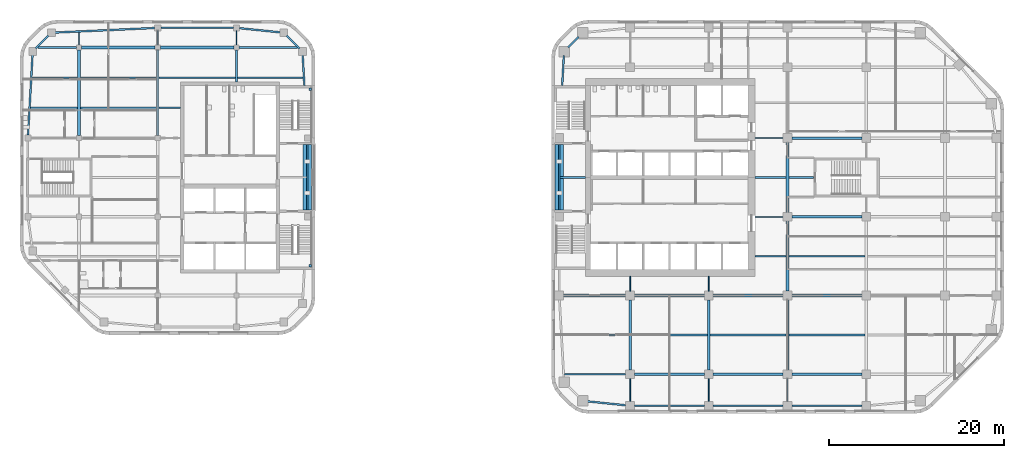
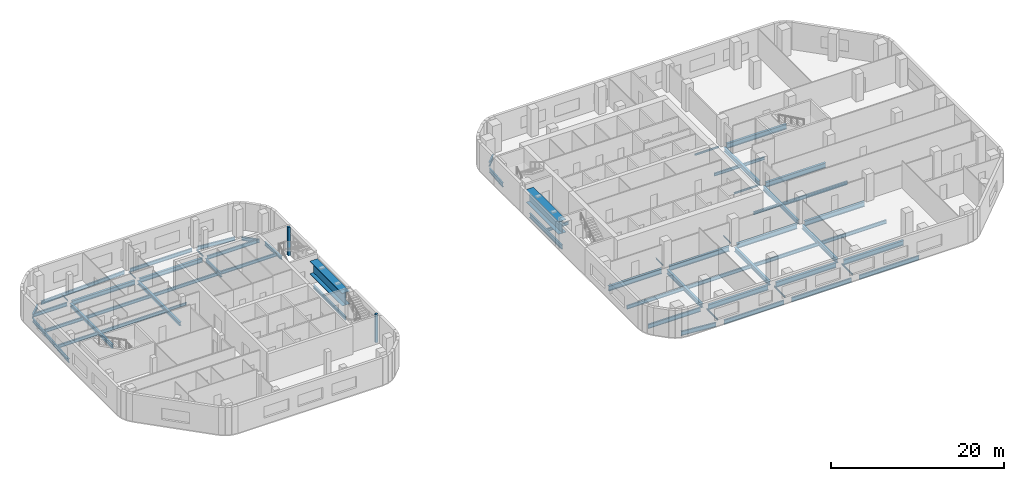
# One storey, part 2 of 14: 65 beams, 2 members.
"""IFC4 building model written with IfcOpenShell, lengths in metres."""

from ifc_helpers import new_model, si_unit, direction, frame, origin, origin_2d, place, context, subcontext, project, spatial, rectangle, i_section, extrude, material, material_profile, profile_set, type_object, element, save


model = new_model("IFC4")

# Units and contexts
model_context = context("Model", 3, precision=1e-05, world=origin(), true_north=direction((0.0, 1.0)))
body_context = subcontext(model_context, "Body", "Model", "MODEL_VIEW")
ifc_project = project(units=[si_unit("LENGTHUNIT", "METRE"), si_unit("AREAUNIT", "SQUARE_METRE"), si_unit("VOLUMEUNIT", "CUBIC_METRE"), si_unit("PLANEANGLEUNIT", "RADIAN"), si_unit("MASSUNIT", "GRAM", prefix="KILO")], contexts=[model_context])

# Site, building, storey
site_placement = place(None, origin())
site = spatial("IfcSite", under=ifc_project, at=site_placement, CompositionType="ELEMENT")
building_placement = place(site_placement, origin())
building = spatial("IfcBuilding", under=site, at=building_placement, Name="Cinnabar Reach Civic Tower", CompositionType="ELEMENT")
storey_placement = place(building_placement, frame((0.0, 0.0, 136.0)))
storey = spatial("IfcBuildingStorey", under=building, at=storey_placement, Name="L32", CompositionType="ELEMENT", Elevation=136.0)

# Beams
ifc_material_1 = material(Name="Steel Q355B", Category="steel")
ifc_material_profile_1 = material_profile(ifc_material_1, i_section(OverallWidth=0.3, OverallDepth=0.488, WebThickness=0.011, FlangeThickness=0.018, FilletRadius=0.016, at=origin_2d()), Name="HM488x300x11x18")
ifc_profile_set_1 = profile_set([ifc_material_profile_1], Name="Steel Q355B")
beam_type_1 = type_object("IfcBeamType", Name="HM488x300x11x18 beam R 120", PredefinedType="BEAM", material=ifc_profile_set_1)
for number, where, z_axis, x_axis, name in (
    (1, (-54.0, 36.302, -0.394), (0.0, 1.0, 0.0), (-1.0, 0.0, 0.0), "Girder T2 L32 4"),
    (2, (-45.0, 36.302, -0.394), (0.0, 1.0, 0.0), (-1.0, 0.0, 0.0), "Girder T2 L32 9"),
):
    element("IfcBeam", number, at=place(storey_placement, frame(where, z_axis=z_axis, x_axis=x_axis)), inside=storey, type_object=beam_type_1, Name=name, PredefinedType="BEAM", context=body_context, shape_type="SweptSolid", body=[
        extrude(i_section(OverallWidth=0.3, OverallDepth=0.488, WebThickness=0.011, FlangeThickness=0.018, FilletRadius=0.016, at=origin_2d()), origin(), (0.0, 0.0, 1.0), 9.746),
    ])
ifc_material_profile_2 = material_profile(ifc_material_1, i_section(OverallWidth=0.3, OverallDepth=0.588, WebThickness=0.012, FlangeThickness=0.02, FilletRadius=0.016, at=origin_2d()), Name="HM588x300x12x20")
ifc_profile_set_2 = profile_set([ifc_material_profile_2], Name="Steel Q355B")
beam_type_2 = type_object("IfcBeamType", Name="HM588x300x12x20 beam R 120", PredefinedType="BEAM", material=ifc_profile_set_2)
for number, where, z_axis, x_axis, name in (
    (3, (-53.698, 46.35, -0.444), (1.0, 0.0, 0.0), (0.0, 1.0, 0.0), "Girder T2 L32 11"),
    (4, (-44.698, 46.35, -0.444), (1.0, 0.0, 0.0), (0.0, 1.0, 0.0), "Girder T2 L32 12"),
):
    element("IfcBeam", number, at=place(storey_placement, frame(where, z_axis=z_axis, x_axis=x_axis)), inside=storey, type_object=beam_type_2, Name=name, PredefinedType="BEAM", context=body_context, shape_type="SweptSolid", body=[
        extrude(i_section(OverallWidth=0.3, OverallDepth=0.588, WebThickness=0.012, FlangeThickness=0.02, FilletRadius=0.016, at=origin_2d()), origin(), (0.0, 0.0, 1.0), 8.396),
    ])
ifc_material_profile_3 = material_profile(ifc_material_1, i_section(OverallWidth=0.302, OverallDepth=0.594, WebThickness=0.014, FlangeThickness=0.023, FilletRadius=0.016, at=origin_2d()), Name="HM594x302x14x23")
ifc_profile_set_3 = profile_set([ifc_material_profile_3], Name="Steel Q355B")
beam_type_3 = type_object("IfcBeamType", Name="HM594x302x14x23 beam R 180", PredefinedType="BEAM", material=ifc_profile_set_3)
for number, where, z_axis, x_axis, name in (
    (5, (9.0, 9.502, -0.447), (0.0, 1.0, 0.0), (-1.0, 0.0, 0.0), "Girder T1 L32 2"),
    (6, (18.0, 9.502, -0.447), (0.0, 1.0, 0.0), (-1.0, 0.0, 0.0), "Girder T1 L32 6"),
    (7, (27.0, 9.502, -0.447), (0.0, 1.0, 0.0), (-1.0, 0.0, 0.0), "Girder T1 L32 10"),
    (8, (27.0, 18.502, -0.447), (0.0, 1.0, 0.0), (-1.0, 0.0, 0.0), "Girder T1 L32 11"),
    (9, (27.0, 27.502, -0.447), (0.0, 1.0, 0.0), (-1.0, 0.0, 0.0), "Girder T1 L32 12"),
):
    element("IfcBeam", number, at=place(storey_placement, frame(where, z_axis=z_axis, x_axis=x_axis)), inside=storey, type_object=beam_type_3, Name=name, PredefinedType="BEAM", context=body_context, shape_type="SweptSolid", body=[
        extrude(i_section(OverallWidth=0.302, OverallDepth=0.594, WebThickness=0.014, FlangeThickness=0.023, FilletRadius=0.016, at=origin_2d()), origin(), (0.0, 0.0, 1.0), 7.996),
    ])
ifc_material_profile_4 = material_profile(ifc_material_1, i_section(OverallWidth=0.099, OverallDepth=0.198, WebThickness=0.0045, FlangeThickness=0.007, FilletRadius=0.013, at=origin_2d()), Name="HN200x100x5.5x8")
ifc_profile_set_4 = profile_set([ifc_material_profile_4], Name="Steel Q355B")
beam_type_4 = type_object("IfcBeamType", Name="HN200x100x5.5x8 beam R 120", PredefinedType="BEAM", material=ifc_profile_set_4)
beam_1_placement = place(storey_placement, frame((-54.0, 46.652, -0.249), z_axis=(0.0, 1.0, 0.0), x_axis=(-1.0, 0.0, 0.0)))
element("IfcBeam", 10, at=beam_1_placement, inside=storey, type_object=beam_type_4, Name="Girder T2 L32 5", PredefinedType="BEAM", context=body_context, shape_type="SweptSolid", body=[
    extrude(i_section(OverallWidth=0.099, OverallDepth=0.198, WebThickness=0.0045, FlangeThickness=0.007, FilletRadius=0.013, at=origin_2d()), origin(), (0.0, 0.0, 1.0), 1.4361),
])
for number, where, z_axis, x_axis, name in (
    (11, (-45.0, 46.652, -0.249), (0.0, 1.0, 0.0), (-1.0, 0.0, 0.0), "Girder T2 L32 10"),
    (12, (-36.0, 46.652, -0.249), (0.0, 1.0, 0.0), (-1.0, 0.0, 0.0), "Girder T2 L32 14"),
):
    element("IfcBeam", number, at=place(storey_placement, frame(where, z_axis=z_axis, x_axis=x_axis)), inside=storey, type_object=beam_type_4, Name=name, PredefinedType="BEAM", context=body_context, shape_type="SweptSolid", body=[
        extrude(i_section(OverallWidth=0.099, OverallDepth=0.198, WebThickness=0.0045, FlangeThickness=0.007, FilletRadius=0.013, at=origin_2d()), origin(), (0.0, 0.0, 1.0), 1.596),
    ])
ifc_material_profile_5 = material_profile(ifc_material_1, i_section(OverallWidth=0.099, OverallDepth=0.198, WebThickness=0.0045, FlangeThickness=0.007, FilletRadius=0.013, at=origin_2d()), Name="HN200x100x5.5x8")
ifc_profile_set_5 = profile_set([ifc_material_profile_5], Name="Steel Q355B")
beam_type_5 = type_object("IfcBeamType", Name="HN200x100x5.5x8 beam R 180", PredefinedType="BEAM", material=ifc_profile_set_5)
beam_2_placement = place(storey_placement, frame((9.0, 5.902, -0.249), z_axis=(0.0, 1.0, 0.0), x_axis=(-1.0, 0.0, 0.0)))
element("IfcBeam", 13, at=beam_2_placement, inside=storey, type_object=beam_type_5, Name="Girder T1 L32 1", PredefinedType="BEAM", context=body_context, shape_type="SweptSolid", body=[
    extrude(i_section(OverallWidth=0.099, OverallDepth=0.198, WebThickness=0.0045, FlangeThickness=0.007, FilletRadius=0.013, at=origin_2d()), origin(), (0.0, 0.0, 1.0), 2.596),
])
beam_3_placement = place(storey_placement, frame((9.0, 18.502, -0.249), z_axis=(0.0, 1.0, 0.0), x_axis=(-1.0, 0.0, 0.0)))
element("IfcBeam", 14, at=beam_3_placement, inside=storey, type_object=beam_type_5, Name="Girder T1 L32 3", PredefinedType="BEAM", context=body_context, shape_type="SweptSolid", body=[
    extrude(i_section(OverallWidth=0.099, OverallDepth=0.198, WebThickness=0.0045, FlangeThickness=0.007, FilletRadius=0.013, at=origin_2d()), origin(), (0.0, 0.0, 1.0), 1.696),
])
beam_4_placement = place(storey_placement, frame((18.0, 5.902, -0.249), z_axis=(0.0, 1.0, 0.0), x_axis=(-1.0, 0.0, 0.0)))
element("IfcBeam", 15, at=beam_4_placement, inside=storey, type_object=beam_type_5, Name="Girder T1 L32 5", PredefinedType="BEAM", context=body_context, shape_type="SweptSolid", body=[
    extrude(i_section(OverallWidth=0.099, OverallDepth=0.198, WebThickness=0.0045, FlangeThickness=0.007, FilletRadius=0.013, at=origin_2d()), origin(), (0.0, 0.0, 1.0), 2.596),
])
beam_5_placement = place(storey_placement, frame((18.0, 18.502, -0.249), z_axis=(0.0, 1.0, 0.0), x_axis=(-1.0, 0.0, 0.0)))
element("IfcBeam", 16, at=beam_5_placement, inside=storey, type_object=beam_type_5, Name="Girder T1 L32 7", PredefinedType="BEAM", context=body_context, shape_type="SweptSolid", body=[
    extrude(i_section(OverallWidth=0.099, OverallDepth=0.198, WebThickness=0.0045, FlangeThickness=0.007, FilletRadius=0.013, at=origin_2d()), origin(), (0.0, 0.0, 1.0), 1.696),
])
beam_6_placement = place(storey_placement, frame((27.0, 5.902, -0.249), z_axis=(0.0, 1.0, 0.0), x_axis=(-1.0, 0.0, 0.0)))
element("IfcBeam", 17, at=beam_6_placement, inside=storey, type_object=beam_type_5, Name="Girder T1 L32 9", PredefinedType="BEAM", context=body_context, shape_type="SweptSolid", body=[
    extrude(i_section(OverallWidth=0.099, OverallDepth=0.198, WebThickness=0.0045, FlangeThickness=0.007, FilletRadius=0.013, at=origin_2d()), origin(), (0.0, 0.0, 1.0), 2.596),
])
ifc_material_profile_6 = material_profile(ifc_material_1, i_section(OverallWidth=0.124, OverallDepth=0.248, WebThickness=0.005, FlangeThickness=0.008, FilletRadius=0.013, at=origin_2d()), Name="HN250x125x6x9")
ifc_profile_set_6 = profile_set([ifc_material_profile_6], Name="Steel Q355B")
beam_type_6 = type_object("IfcBeamType", Name="HN250x125x6x9 beam R 180", PredefinedType="BEAM", material=ifc_profile_set_6)
for number, where, z_axis, x_axis, name in (
    (18, (23.302, 27.0, -0.274), (1.0, 0.0, 0.0), (0.0, 1.0, 0.0), "Girder T1 L32 12"),
    (19, (23.302, 36.0, -0.274), (1.0, 0.0, 0.0), (0.0, 1.0, 0.0), "Girder T1 L32 16"),
):
    element("IfcBeam", number, at=place(storey_placement, frame(where, z_axis=z_axis, x_axis=x_axis)), inside=storey, type_object=beam_type_6, Name=name, PredefinedType="BEAM", context=body_context, shape_type="SweptSolid", body=[
        extrude(i_section(OverallWidth=0.124, OverallDepth=0.248, WebThickness=0.005, FlangeThickness=0.008, FilletRadius=0.013, at=origin_2d()), origin(), (0.0, 0.0, 1.0), 3.196),
    ])
ifc_material_profile_7 = material_profile(ifc_material_1, i_section(OverallWidth=0.175, OverallDepth=0.35, WebThickness=0.007, FlangeThickness=0.011, FilletRadius=0.013, at=origin_2d()), Name="HN350x175x7x11")
ifc_profile_set_7 = profile_set([ifc_material_profile_7], Name="Steel Q355B")
beam_type_7 = type_object("IfcBeamType", Name="HN350x175x7x11 beam R 120", PredefinedType="BEAM", material=ifc_profile_set_7)
beam_7_placement = place(storey_placement, frame((-44.848, 39.45, -0.325), z_axis=(1.0, 0.0, 0.0), x_axis=(0.0, 1.0, 0.0)))
element("IfcBeam", 20, at=beam_7_placement, inside=storey, type_object=beam_type_7, Name="Secondary beam T2 L32 9", PredefinedType="BEAM", context=body_context, shape_type="SweptSolid", body=[
    extrude(i_section(OverallWidth=0.175, OverallDepth=0.35, WebThickness=0.007, FlangeThickness=0.011, FilletRadius=0.013, at=origin_2d()), origin(), (0.0, 0.0, 1.0), 2.446),
])
ifc_material_profile_8 = material_profile(ifc_material_1, i_section(OverallWidth=0.199, OverallDepth=0.396, WebThickness=0.007, FlangeThickness=0.011, FilletRadius=0.013, at=origin_2d()), Name="HN396x199x7x11")
ifc_profile_set_8 = profile_set([ifc_material_profile_8], Name="Steel Q355B")
beam_type_8 = type_object("IfcBeamType", Name="HN396x199x7x11 beam R 180", PredefinedType="BEAM", material=ifc_profile_set_8)
beam_8_placement = place(storey_placement, frame((23.302, 22.5, -0.348), z_axis=(1.0, 0.0, 0.0), x_axis=(0.0, 1.0, 0.0)))
element("IfcBeam", 21, at=beam_8_placement, inside=storey, type_object=beam_type_8, Name="Secondary beam T1 L32 7", PredefinedType="BEAM", context=body_context, shape_type="SweptSolid", body=[
    extrude(i_section(OverallWidth=0.199, OverallDepth=0.396, WebThickness=0.007, FlangeThickness=0.011, FilletRadius=0.013, at=origin_2d()), origin(), (0.0, 0.0, 1.0), 3.545),
])
beam_9_placement = place(storey_placement, frame((1.002, 31.5, -0.348), z_axis=(1.0, 0.0, 0.0), x_axis=(0.0, 1.0, 0.0)))
element("IfcBeam", 22, at=beam_9_placement, inside=storey, type_object=beam_type_8, Name="Secondary beam T1 L32 11", PredefinedType="BEAM", context=body_context, shape_type="SweptSolid", body=[
    extrude(i_section(OverallWidth=0.199, OverallDepth=0.396, WebThickness=0.007, FlangeThickness=0.011, FilletRadius=0.013, at=origin_2d()), origin(), (0.0, 0.0, 1.0), 2.896),
])
beam_10_placement = place(storey_placement, frame((23.302, 31.5, -0.348), z_axis=(1.0, 0.0, 0.0), x_axis=(0.0, 1.0, 0.0)))
element("IfcBeam", 23, at=beam_10_placement, inside=storey, type_object=beam_type_8, Name="Secondary beam T1 L32 12", PredefinedType="BEAM", context=body_context, shape_type="SweptSolid", body=[
    extrude(i_section(OverallWidth=0.199, OverallDepth=0.396, WebThickness=0.007, FlangeThickness=0.011, FilletRadius=0.013, at=origin_2d()), origin(), (0.0, 0.0, 1.0), 3.545),
])
beam_11_placement = place(storey_placement, frame((27.153, 31.5, -0.348), z_axis=(1.0, 0.0, 0.0), x_axis=(0.0, 1.0, 0.0)))
element("IfcBeam", 24, at=beam_11_placement, inside=storey, type_object=beam_type_8, Name="Secondary beam T1 L32 13", PredefinedType="BEAM", context=body_context, shape_type="SweptSolid", body=[
    extrude(i_section(OverallWidth=0.199, OverallDepth=0.396, WebThickness=0.007, FlangeThickness=0.011, FilletRadius=0.013, at=origin_2d()), origin(), (0.0, 0.0, 1.0), 2.845),
])
ifc_material_profile_9 = material_profile(ifc_material_1, i_section(OverallWidth=0.2, OverallDepth=0.45, WebThickness=0.009, FlangeThickness=0.014, FilletRadius=0.016, at=origin_2d()), Name="HN450x200x9x14")
ifc_profile_set_9 = profile_set([ifc_material_profile_9], Name="Steel Q355B")
beam_type_9 = type_object("IfcBeamType", Name="HN450x200x9x14 beam R 120", PredefinedType="BEAM", material=ifc_profile_set_9)
beam_12_placement = place(storey_placement, frame((-59.5551, 39.45, -0.375), z_axis=(1.0, 0.0, 0.0), x_axis=(0.0, 1.0, 0.0)))
element("IfcBeam", 25, at=beam_12_placement, inside=storey, type_object=beam_type_9, Name="Secondary beam T2 L32 7", PredefinedType="BEAM", context=body_context, shape_type="SweptSolid", body=[
    extrude(i_section(OverallWidth=0.2, OverallDepth=0.45, WebThickness=0.009, FlangeThickness=0.014, FilletRadius=0.016, at=origin_2d()), origin(), (0.0, 0.0, 1.0), 5.4031),
])
beam_13_placement = place(storey_placement, frame((-53.848, 39.45, -0.375), z_axis=(1.0, 0.0, 0.0), x_axis=(0.0, 1.0, 0.0)))
element("IfcBeam", 26, at=beam_13_placement, inside=storey, type_object=beam_type_9, Name="Secondary beam T2 L32 8", PredefinedType="BEAM", context=body_context, shape_type="SweptSolid", body=[
    extrude(i_section(OverallWidth=0.2, OverallDepth=0.45, WebThickness=0.009, FlangeThickness=0.014, FilletRadius=0.016, at=origin_2d()), origin(), (0.0, 0.0, 1.0), 8.696),
])
beam_14_placement = place(storey_placement, frame((-59.3623, 42.9, -0.375), z_axis=(1.0, 0.0, 0.0), x_axis=(0.0, 1.0, 0.0)))
element("IfcBeam", 27, at=beam_14_placement, inside=storey, type_object=beam_type_9, Name="Secondary beam T2 L32 10", PredefinedType="BEAM", context=body_context, shape_type="SweptSolid", body=[
    extrude(i_section(OverallWidth=0.2, OverallDepth=0.45, WebThickness=0.009, FlangeThickness=0.014, FilletRadius=0.016, at=origin_2d()), origin(), (0.0, 0.0, 1.0), 5.2103),
])
beam_15_placement = place(storey_placement, frame((-53.848, 42.9, -0.375), z_axis=(1.0, 0.0, 0.0), x_axis=(0.0, 1.0, 0.0)))
element("IfcBeam", 28, at=beam_15_placement, inside=storey, type_object=beam_type_9, Name="Secondary beam T2 L32 11", PredefinedType="BEAM", context=body_context, shape_type="SweptSolid", body=[
    extrude(i_section(OverallWidth=0.2, OverallDepth=0.45, WebThickness=0.009, FlangeThickness=0.014, FilletRadius=0.016, at=origin_2d()), origin(), (0.0, 0.0, 1.0), 8.696),
])
beam_16_placement = place(storey_placement, frame((-44.848, 42.9, -0.375), z_axis=(1.0, 0.0, 0.0), x_axis=(0.0, 1.0, 0.0)))
element("IfcBeam", 29, at=beam_16_placement, inside=storey, type_object=beam_type_9, Name="Secondary beam T2 L32 12", PredefinedType="BEAM", context=body_context, shape_type="SweptSolid", body=[
    extrude(i_section(OverallWidth=0.2, OverallDepth=0.45, WebThickness=0.009, FlangeThickness=0.014, FilletRadius=0.016, at=origin_2d()), origin(), (0.0, 0.0, 1.0), 8.746),
])
beam_17_placement = place(storey_placement, frame((-35.898, 42.9, -0.375), z_axis=(1.0, 0.0, 0.0), x_axis=(0.0, 1.0, 0.0)))
element("IfcBeam", 30, at=beam_17_placement, inside=storey, type_object=beam_type_9, Name="Secondary beam T2 L32 13", PredefinedType="BEAM", context=body_context, shape_type="SweptSolid", body=[
    extrude(i_section(OverallWidth=0.2, OverallDepth=0.45, WebThickness=0.009, FlangeThickness=0.014, FilletRadius=0.016, at=origin_2d()), origin(), (0.0, 0.0, 1.0), 7.5103),
])
ifc_material_profile_10 = material_profile(ifc_material_1, i_section(OverallWidth=0.199, OverallDepth=0.496, WebThickness=0.009, FlangeThickness=0.014, FilletRadius=0.016, at=origin_2d()), Name="HN496x199x9x14")
ifc_profile_set_10 = profile_set([ifc_material_profile_10], Name="Steel Q355B")
beam_type_10 = type_object("IfcBeamType", Name="HN496x199x9x14 beam R 180", PredefinedType="BEAM", material=ifc_profile_set_10)
beam_18_placement = place(storey_placement, frame((1.2536, 13.5, -0.398), z_axis=(1.0, 0.0, 0.0), x_axis=(0.0, 1.0, 0.0)))
element("IfcBeam", 31, at=beam_18_placement, inside=storey, type_object=beam_type_10, Name="Secondary beam T1 L32 1", PredefinedType="BEAM", context=body_context, shape_type="SweptSolid", body=[
    extrude(i_section(OverallWidth=0.199, OverallDepth=0.496, WebThickness=0.009, FlangeThickness=0.014, FilletRadius=0.016, at=origin_2d()), origin(), (0.0, 0.0, 1.0), 7.5934),
])
for number, where, z_axis, x_axis, name in (
    (32, (9.153, 13.5, -0.398), (1.0, 0.0, 0.0), (0.0, 1.0, 0.0), "Secondary beam T1 L32 2"),
    (33, (18.153, 13.5, -0.398), (1.0, 0.0, 0.0), (0.0, 1.0, 0.0), "Secondary beam T1 L32 3"),
    (34, (27.153, 13.5, -0.398), (1.0, 0.0, 0.0), (0.0, 1.0, 0.0), "Secondary beam T1 L32 4"),
    (35, (27.153, 22.5, -0.398), (1.0, 0.0, 0.0), (0.0, 1.0, 0.0), "Secondary beam T1 L32 8"),
):
    element("IfcBeam", number, at=place(storey_placement, frame(where, z_axis=z_axis, x_axis=x_axis)), inside=storey, type_object=beam_type_10, Name=name, PredefinedType="BEAM", context=body_context, shape_type="SweptSolid", body=[
        extrude(i_section(OverallWidth=0.199, OverallDepth=0.496, WebThickness=0.009, FlangeThickness=0.014, FilletRadius=0.016, at=origin_2d()), origin(), (0.0, 0.0, 1.0), 8.694),
    ])
ifc_material_profile_11 = material_profile(ifc_material_1, i_section(OverallWidth=0.2, OverallDepth=0.5, WebThickness=0.01, FlangeThickness=0.016, FilletRadius=0.016, at=origin_2d()), Name="HN500x200x10x16")
ifc_profile_set_11 = profile_set([ifc_material_profile_11], Name="Steel Q355B")
beam_type_11 = type_object("IfcBeamType", Name="HN500x200x10x16 beam R 120", PredefinedType="BEAM", material=ifc_profile_set_11)
beam_19_placement = place(storey_placement, frame((-27.9, 27.752, -0.4), z_axis=(0.0, 1.0, 0.0), x_axis=(-1.0, 0.0, 0.0)))
element("IfcBeam", 36, at=beam_19_placement, inside=storey, type_object=beam_type_11, Name="Edge beam T2 L32 6", PredefinedType="BEAM", context=body_context, shape_type="SweptSolid", body=[
    extrude(i_section(OverallWidth=0.2, OverallDepth=0.5, WebThickness=0.01, FlangeThickness=0.016, FilletRadius=0.016, at=origin_2d()), origin(), (0.0, 0.0, 1.0), 7.496),
])
beam_20_placement = place(storey_placement, frame((-28.2354, 42.002, -0.4), z_axis=(-0.055775670196, 0.99844332569, 0.0), x_axis=(-0.99844332569, -0.055775670196, 0.0)))
element("IfcBeam", 37, at=beam_20_placement, inside=storey, type_object=beam_type_11, Name="Edge beam T2 L32 7", PredefinedType="BEAM", context=body_context, shape_type="SweptSolid", body=[
    extrude(i_section(OverallWidth=0.2, OverallDepth=0.5, WebThickness=0.01, FlangeThickness=0.016, FilletRadius=0.016, at=origin_2d()), origin(), (0.0, 0.0, 1.0), 3.5697),
])
beam_21_placement = place(storey_placement, frame((-28.7851, 46.2301, -0.4), z_axis=(-0.707106781187, 0.707106781187, 0.0), x_axis=(-0.707106781187, -0.707106781187, 0.0)))
element("IfcBeam", 38, at=beam_21_placement, inside=storey, type_object=beam_type_11, Name="Edge beam T2 L32 8", PredefinedType="BEAM", context=body_context, shape_type="SweptSolid", body=[
    extrude(i_section(OverallWidth=0.2, OverallDepth=0.5, WebThickness=0.01, FlangeThickness=0.016, FilletRadius=0.016, at=origin_2d()), origin(), (0.0, 0.0, 1.0), 2.0998),
])
beam_22_placement = place(storey_placement, frame((-30.9339, 48.0809, -0.4), z_axis=(-0.994792087401, 0.101924986363, 0.0), x_axis=(-0.101924986363, -0.994792087401, 0.0)))
element("IfcBeam", 39, at=beam_22_placement, inside=storey, type_object=beam_type_11, Name="Edge beam T2 L32 9", PredefinedType="BEAM", context=body_context, shape_type="SweptSolid", body=[
    extrude(i_section(OverallWidth=0.2, OverallDepth=0.5, WebThickness=0.01, FlangeThickness=0.016, FilletRadius=0.016, at=origin_2d()), origin(), (0.0, 0.0, 1.0), 4.7388),
])
beam_23_placement = place(storey_placement, frame((-36.352, 48.6, -0.4), z_axis=(-1.0, 0.0, 0.0), x_axis=(0.0, -1.0, 0.0)))
element("IfcBeam", 40, at=beam_23_placement, inside=storey, type_object=beam_type_11, Name="Edge beam T2 L32 10", PredefinedType="BEAM", context=body_context, shape_type="SweptSolid", body=[
    extrude(i_section(OverallWidth=0.2, OverallDepth=0.5, WebThickness=0.01, FlangeThickness=0.016, FilletRadius=0.016, at=origin_2d()), origin(), (0.0, 0.0, 1.0), 8.296),
])
beam_24_placement = place(storey_placement, frame((-45.352, 48.584, -0.4), z_axis=(-0.998964961738, -0.045486319033, 0.0), x_axis=(0.045486319033, -0.998964961738, 0.0)))
element("IfcBeam", 41, at=beam_24_placement, inside=storey, type_object=beam_type_11, Name="Edge beam T2 L32 11", PredefinedType="BEAM", context=body_context, shape_type="SweptSolid", body=[
    extrude(i_section(OverallWidth=0.2, OverallDepth=0.5, WebThickness=0.01, FlangeThickness=0.016, FilletRadius=0.016, at=origin_2d()), origin(), (0.0, 0.0, 1.0), 11.476),
])
beam_25_placement = place(storey_placement, frame((-57.4801, 47.7149, -0.4), z_axis=(-0.707106781187, -0.707106781187, 0.0), x_axis=(0.707106781187, -0.707106781187, 0.0)))
element("IfcBeam", 42, at=beam_25_placement, inside=storey, type_object=beam_type_11, Name="Edge beam T2 L32 12", PredefinedType="BEAM", context=body_context, shape_type="SweptSolid", body=[
    extrude(i_section(OverallWidth=0.2, OverallDepth=0.5, WebThickness=0.01, FlangeThickness=0.016, FilletRadius=0.016, at=origin_2d()), origin(), (0.0, 0.0, 1.0), 2.0998),
])
beam_26_placement = place(storey_placement, frame((-59.3155, 45.5661, -0.4), z_axis=(-0.055783895065, -0.998442866193, 0.0), x_axis=(0.998442866193, -0.055783895065, 0.0)))
element("IfcBeam", 43, at=beam_26_placement, inside=storey, type_object=beam_type_11, Name="Edge beam T2 L32 13", PredefinedType="BEAM", context=body_context, shape_type="SweptSolid", body=[
    extrude(i_section(OverallWidth=0.2, OverallDepth=0.5, WebThickness=0.01, FlangeThickness=0.016, FilletRadius=0.016, at=origin_2d()), origin(), (0.0, 0.0, 1.0), 9.2285),
])
beam_27_placement = place(storey_placement, frame((-58.7008, 46.35, -0.4), z_axis=(1.0, 0.0, 0.0), x_axis=(0.0, 1.0, 0.0)))
element("IfcBeam", 44, at=beam_27_placement, inside=storey, type_object=beam_type_11, Name="Girder T2 L32 10", PredefinedType="BEAM", context=body_context, shape_type="SweptSolid", body=[
    extrude(i_section(OverallWidth=0.2, OverallDepth=0.5, WebThickness=0.01, FlangeThickness=0.016, FilletRadius=0.016, at=origin_2d()), origin(), (0.0, 0.0, 1.0), 4.3988),
])
beam_28_placement = place(storey_placement, frame((-35.698, 46.35, -0.4), z_axis=(1.0, 0.0, 0.0), x_axis=(0.0, 1.0, 0.0)))
element("IfcBeam", 45, at=beam_28_placement, inside=storey, type_object=beam_type_11, Name="Girder T2 L32 13", PredefinedType="BEAM", context=body_context, shape_type="SweptSolid", body=[
    extrude(i_section(OverallWidth=0.2, OverallDepth=0.5, WebThickness=0.01, FlangeThickness=0.016, FilletRadius=0.016, at=origin_2d()), origin(), (0.0, 0.0, 1.0), 6.6488),
])
beam_29_placement = place(storey_placement, frame((-36.0, 42.402, -0.4), z_axis=(0.0, 1.0, 0.0), x_axis=(-1.0, 0.0, 0.0)))
element("IfcBeam", 46, at=beam_29_placement, inside=storey, type_object=beam_type_11, Name="Girder T2 L32 13", PredefinedType="BEAM", context=body_context, shape_type="SweptSolid", body=[
    extrude(i_section(OverallWidth=0.2, OverallDepth=0.5, WebThickness=0.01, FlangeThickness=0.016, FilletRadius=0.016, at=origin_2d()), origin(), (0.0, 0.0, 1.0), 3.646),
])
ifc_material_profile_12 = material_profile(ifc_material_1, i_section(OverallWidth=0.199, OverallDepth=0.596, WebThickness=0.01, FlangeThickness=0.015, FilletRadius=0.016, at=origin_2d()), Name="HN596x199x10x15")
ifc_profile_set_12 = profile_set([ifc_material_profile_12], Name="Steel Q355B")
beam_type_12 = type_object("IfcBeamType", Name="HN596x199x10x15 beam R 180", PredefinedType="BEAM", material=ifc_profile_set_12)
beam_30_placement = place(storey_placement, frame((1.5051, 9.0, -0.448), z_axis=(1.0, 0.0, 0.0), x_axis=(0.0, 1.0, 0.0)))
element("IfcBeam", 47, at=beam_30_placement, inside=storey, type_object=beam_type_12, Name="Girder T1 L32 1", PredefinedType="BEAM", context=body_context, shape_type="SweptSolid", body=[
    extrude(i_section(OverallWidth=0.199, OverallDepth=0.596, WebThickness=0.01, FlangeThickness=0.015, FilletRadius=0.016, at=origin_2d()), origin(), (0.0, 0.0, 1.0), 6.9929),
])
ifc_material_profile_13 = material_profile(ifc_material_1, i_section(OverallWidth=0.2, OverallDepth=0.6, WebThickness=0.011, FlangeThickness=0.017, FilletRadius=0.016, at=origin_2d()), Name="HN600x200x11x17")
ifc_profile_set_13 = profile_set([ifc_material_profile_13], Name="Steel Q355B")
beam_type_13 = type_object("IfcBeamType", Name="HN600x200x11x17 beam R 180", PredefinedType="BEAM", material=ifc_profile_set_13)
beam_31_placement = place(storey_placement, frame((4.0839, 5.9037, -0.45), z_axis=(0.994791228755, -0.101933366432, 0.0), x_axis=(0.101933366432, 0.994791228755, 0.0)))
element("IfcBeam", 48, at=beam_31_placement, inside=storey, type_object=beam_type_13, Name="Edge beam T1 L32 1", PredefinedType="BEAM", context=body_context, shape_type="SweptSolid", body=[
    extrude(i_section(OverallWidth=0.2, OverallDepth=0.6, WebThickness=0.011, FlangeThickness=0.017, FilletRadius=0.016, at=origin_2d()), origin(), (0.0, 0.0, 1.0), 4.4372),
])
for number, where, z_axis, x_axis, name in (
    (49, (9.502, 5.4, -0.45), (1.0, 0.0, 0.0), (0.0, 1.0, 0.0), "Edge beam T1 L32 2"),
    (50, (18.502, 5.4, -0.45), (1.0, 0.0, 0.0), (0.0, 1.0, 0.0), "Edge beam T1 L32 3"),
    (51, (27.502, 5.4, -0.45), (1.0, 0.0, 0.0), (0.0, 1.0, 0.0), "Edge beam T1 L32 4"),
):
    element("IfcBeam", number, at=place(storey_placement, frame(where, z_axis=z_axis, x_axis=x_axis)), inside=storey, type_object=beam_type_13, Name=name, PredefinedType="BEAM", context=body_context, shape_type="SweptSolid", body=[
        extrude(i_section(OverallWidth=0.2, OverallDepth=0.6, WebThickness=0.011, FlangeThickness=0.017, FilletRadius=0.016, at=origin_2d()), origin(), (0.0, 0.0, 1.0), 7.996),
    ])
beam_32_placement = place(storey_placement, frame((3.1199, 47.5649, -0.45), z_axis=(-0.707106781187, -0.707106781187, 0.0), x_axis=(0.707106781187, -0.707106781187, 0.0)))
element("IfcBeam", 52, at=beam_32_placement, inside=storey, type_object=beam_type_13, Name="Edge beam T1 L32 19", PredefinedType="BEAM", context=body_context, shape_type="SweptSolid", body=[
    extrude(i_section(OverallWidth=0.2, OverallDepth=0.6, WebThickness=0.011, FlangeThickness=0.017, FilletRadius=0.016, at=origin_2d()), origin(), (0.0, 0.0, 1.0), 1.6756),
])
beam_33_placement = place(storey_placement, frame((1.4262, 45.4161, -0.45), z_axis=(-0.055798816608, -0.998442032401, 0.0), x_axis=(0.998442032401, -0.055798816608, 0.0)))
element("IfcBeam", 53, at=beam_33_placement, inside=storey, type_object=beam_type_13, Name="Edge beam T1 L32 20", PredefinedType="BEAM", context=body_context, shape_type="SweptSolid", body=[
    extrude(i_section(OverallWidth=0.2, OverallDepth=0.6, WebThickness=0.011, FlangeThickness=0.017, FilletRadius=0.016, at=origin_2d()), origin(), (0.0, 0.0, 1.0), 3.4194),
])
beam_34_placement = place(storey_placement, frame((0.9, 35.248, -0.45), z_axis=(0.0, -1.0, 0.0), x_axis=(1.0, 0.0, 0.0)))
element("IfcBeam", 54, at=beam_34_placement, inside=storey, type_object=beam_type_13, Name="Edge beam T1 L32 21", PredefinedType="BEAM", context=body_context, shape_type="SweptSolid", body=[
    extrude(i_section(OverallWidth=0.2, OverallDepth=0.6, WebThickness=0.011, FlangeThickness=0.017, FilletRadius=0.016, at=origin_2d()), origin(), (0.0, 0.0, 1.0), 7.496),
])
ifc_material_profile_14 = material_profile(ifc_material_1, i_section(OverallWidth=0.3, OverallDepth=0.692, WebThickness=0.013, FlangeThickness=0.02, FilletRadius=0.016, at=origin_2d()), Name="HN692x300x13x20")
ifc_profile_set_14 = profile_set([ifc_material_profile_14], Name="Steel Q355B")
beam_type_14 = type_object("IfcBeamType", Name="HN692x300x13x20 beam R 180", PredefinedType="BEAM", material=ifc_profile_set_14)
for number, where, z_axis, x_axis, name in (
    (55, (9.502, 9.0, -0.496), (1.0, 0.0, 0.0), (0.0, 1.0, 0.0), "Girder T1 L32 2"),
    (56, (18.502, 9.0, -0.496), (1.0, 0.0, 0.0), (0.0, 1.0, 0.0), "Girder T1 L32 3"),
    (57, (27.502, 9.0, -0.496), (1.0, 0.0, 0.0), (0.0, 1.0, 0.0), "Girder T1 L32 4"),
):
    element("IfcBeam", number, at=place(storey_placement, frame(where, z_axis=z_axis, x_axis=x_axis)), inside=storey, type_object=beam_type_14, Name=name, PredefinedType="BEAM", context=body_context, shape_type="SweptSolid", body=[
        extrude(i_section(OverallWidth=0.3, OverallDepth=0.692, WebThickness=0.013, FlangeThickness=0.02, FilletRadius=0.016, at=origin_2d()), origin(), (0.0, 0.0, 1.0), 7.996),
    ])
beam_35_placement = place(storey_placement, frame((1.402, 18.0, -0.496), z_axis=(1.0, 0.0, 0.0), x_axis=(0.0, 1.0, 0.0)))
element("IfcBeam", 58, at=beam_35_placement, inside=storey, type_object=beam_type_14, Name="Girder T1 L32 6", PredefinedType="BEAM", context=body_context, shape_type="SweptSolid", body=[
    extrude(i_section(OverallWidth=0.3, OverallDepth=0.692, WebThickness=0.013, FlangeThickness=0.02, FilletRadius=0.016, at=origin_2d()), origin(), (0.0, 0.0, 1.0), 7.096),
])
for number, where, z_axis, x_axis, name in (
    (59, (9.502, 18.0, -0.496), (1.0, 0.0, 0.0), (0.0, 1.0, 0.0), "Girder T1 L32 7"),
    (60, (18.502, 18.0, -0.496), (1.0, 0.0, 0.0), (0.0, 1.0, 0.0), "Girder T1 L32 8"),
    (61, (27.502, 18.0, -0.496), (1.0, 0.0, 0.0), (0.0, 1.0, 0.0), "Girder T1 L32 9"),
    (62, (27.502, 27.0, -0.496), (1.0, 0.0, 0.0), (0.0, 1.0, 0.0), "Girder T1 L32 13"),
    (63, (27.502, 36.0, -0.496), (1.0, 0.0, 0.0), (0.0, 1.0, 0.0), "Girder T1 L32 17"),
):
    element("IfcBeam", number, at=place(storey_placement, frame(where, z_axis=z_axis, x_axis=x_axis)), inside=storey, type_object=beam_type_14, Name=name, PredefinedType="BEAM", context=body_context, shape_type="SweptSolid", body=[
        extrude(i_section(OverallWidth=0.3, OverallDepth=0.692, WebThickness=0.013, FlangeThickness=0.02, FilletRadius=0.016, at=origin_2d()), origin(), (0.0, 0.0, 1.0), 7.996),
    ])
ifc_material_profile_15 = material_profile(ifc_material_1, i_section(OverallWidth=1.0, OverallDepth=1.8, WebThickness=0.028, FlangeThickness=0.045, at=origin_2d()), Name="BH1800x1000x28x45")
ifc_profile_set_15 = profile_set([ifc_material_profile_15], Name="Steel Q355B")
beam_type_15 = type_object("IfcBeamType", Name="SEAT girder BH1800x1000x28x45 R 180", PredefinedType="BEAM", material=ifc_profile_set_15)
beam_36_placement = place(storey_placement, frame((-27.9, 27.752, 2.386), z_axis=(0.0, 1.0, 0.0), x_axis=(-1.0, 0.0, 0.0)))
element("IfcBeam", 64, at=beam_36_placement, inside=storey, type_object=beam_type_15, Name="Seat girder T2 L33 1", PredefinedType="BEAM", context=body_context, shape_type="SweptSolid", body=[
    extrude(i_section(OverallWidth=1.0, OverallDepth=1.8, WebThickness=0.028, FlangeThickness=0.045, at=origin_2d()), origin(), (0.0, 0.0, 1.0), 7.496),
])
ifc_material_profile_16 = material_profile(ifc_material_1, i_section(OverallWidth=1.0, OverallDepth=1.8, WebThickness=0.028, FlangeThickness=0.045, at=origin_2d()), Name="BH1800x1000x28x45")
ifc_profile_set_16 = profile_set([ifc_material_profile_16], Name="Steel Q355B")
beam_type_16 = type_object("IfcBeamType", Name="SEAT girder BH1800x1000x28x45 R 240", PredefinedType="BEAM", material=ifc_profile_set_16)
beam_37_placement = place(storey_placement, frame((0.9, 27.752, 2.386), z_axis=(0.0, 1.0, 0.0), x_axis=(-1.0, 0.0, 0.0)))
element("IfcBeam", 65, at=beam_37_placement, inside=storey, type_object=beam_type_16, Name="Seat girder T1 L33 1", PredefinedType="BEAM", context=body_context, shape_type="SweptSolid", body=[
    extrude(i_section(OverallWidth=1.0, OverallDepth=1.8, WebThickness=0.028, FlangeThickness=0.045, at=origin_2d()), origin(), (0.0, 0.0, 1.0), 7.496),
])

# Members
ifc_material_2 = material(Name="Concrete C40", Category="concrete")
ifc_material_profile_17 = material_profile(ifc_material_2, rectangle(XDim=0.3, YDim=0.3, at=origin_2d()), Name="C300")
ifc_profile_set_17 = profile_set([ifc_material_profile_17], Name="Concrete C40")
member_type = type_object("IfcMemberType", Name="T2 stair post 300", PredefinedType="STRUT", material=ifc_profile_set_17)
for number, where, z_axis, x_axis, name in (
    (66, (-27.55, 21.4, 0.0), (0.0, 0.0, 1.0), (1.0, 0.0, 0.0), "Stair post 1"),
    (67, (-27.55, 41.6, 0.0), (0.0, 0.0, 1.0), (1.0, 0.0, 0.0), "Stair post 2"),
):
    element("IfcMember", number, at=place(storey_placement, frame(where, z_axis=z_axis, x_axis=x_axis)), inside=storey, type_object=member_type, Name=name, PredefinedType="STRUT", context=body_context, shape_type="SweptSolid", body=[
        extrude(rectangle(XDim=0.3, YDim=0.3, at=origin_2d()), origin(), (0.0, 0.0, 1.0), 4.0),
    ])

save(model, "model.ifc")
